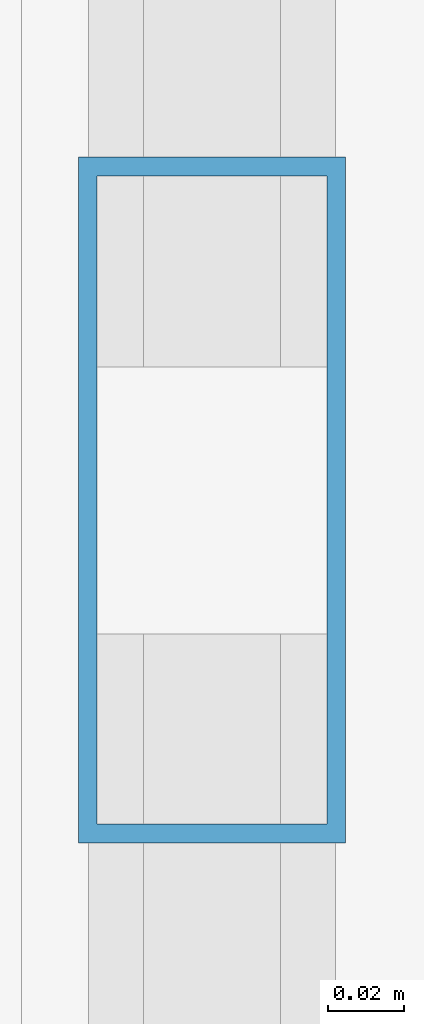
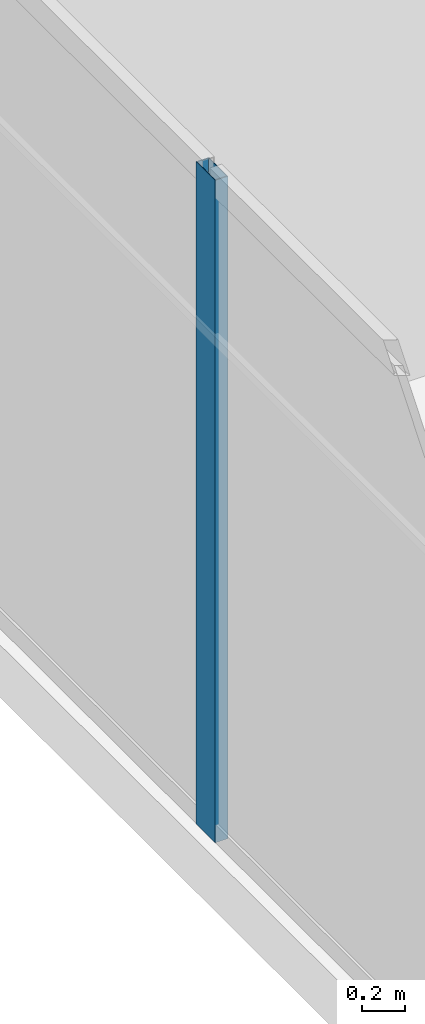
# One storey, part 9 of 35: 1 member, 1 element without a shape of its own.
"""IFC4 building model written with IfcOpenShell, lengths in metres."""

from ifc_helpers import new_model, si_unit, direction, frame, origin, origin_2d, place, context, subcontext, project, spatial, hollow_rectangle, extrude, source, transform, mapped, material, layer, layer_set, material_profile, profile_set, type_object, type_shapes, element, aggregate, save


model = new_model("IFC4")

# Units and contexts
model_context = context("Model", 3, precision=1e-05, world=origin(), true_north=direction((0.0, 1.0)))
body_context = subcontext(model_context, "Body", "Model", "MODEL_VIEW")
ifc_project = project(units=[si_unit("LENGTHUNIT", "METRE"), si_unit("AREAUNIT", "SQUARE_METRE"), si_unit("VOLUMEUNIT", "CUBIC_METRE"), si_unit("PLANEANGLEUNIT", "RADIAN"), si_unit("MASSUNIT", "GRAM", prefix="KILO")], contexts=[model_context])

# Site, building, storey
site_placement = place(None, origin())
site = spatial("IfcSite", under=ifc_project, at=site_placement, CompositionType="ELEMENT")
building_placement = place(site_placement, origin())
building = spatial("IfcBuilding", under=site, at=building_placement, Name="Haelvirn Gate Laboratories", CompositionType="ELEMENT")
storey_placement = place(building_placement, frame((0.0, 0.0, 221.89990234375)))
storey = spatial("IfcBuildingStorey", under=building, at=storey_placement, Name="L53", CompositionType="ELEMENT", Elevation=221.89990234375)

# Curtain wall, member
ifc_material_1 = material(Name="Anodised bronze unitised aluminium & triple low-E glass", Category="aluminium")
ifc_layer = layer(ifc_material_1, 0.176025390625, Name="CW-SYS-4")
ifc_layer_set = layer_set([ifc_layer], Name="Anodised bronze unitised aluminium & triple low-E glass")
curtain_wall_type = type_object("IfcCurtainWallType", Name="CW-SYS-4", PredefinedType="NOTDEFINED", material=ifc_layer_set)
curtain_wall_placement = place(storey_placement, origin())
curtain_wall = element("IfcCurtainWall", 1, at=curtain_wall_placement, inside=storey, type_object=curtain_wall_type, Name="L53 Unitised Curtain Wall CW-L53-P0-E17", PredefinedType="NOTDEFINED")
ifc_material_2 = material(Name="Extruded aluminium 6063-T6 (anodised bronze)", Category="aluminium")
ifc_material_profile = material_profile(ifc_material_2, hollow_rectangle(XDim=0.070068359375, YDim=0.179931640625, WallThickness=0.0048828125, at=origin_2d()), Name="CWM-180x70x5")
ifc_profile_set = profile_set([ifc_material_profile], Name="Extruded aluminium 6063-T6 (anodised bronze)")
member_type = type_object("IfcMemberType", Name="CWM-T180", PredefinedType="MULLION", material=ifc_profile_set)
shared_shape = source(origin(), body_context, "Body", "SweptSolid", [
    extrude(hollow_rectangle(XDim=0.070068359375, YDim=0.179931640625, WallThickness=0.0048828125, at=origin_2d()), origin(), (0.0, 0.0, 1.0), 3.800048828125),
])
type_shapes(member_type, [shared_shape])
member_placement = place(storey_placement, frame((4.10009765625, 24.300048828125, 0.0), z_axis=(0.0, 0.0, 1.0), x_axis=(1.0, 0.0, 0.0)))
member = element("IfcMember", 2, at=member_placement, type_object=member_type, Name="CW4 mullion 2", PredefinedType="MULLION", context=body_context, shape_type="MappedRepresentation", body=[
    mapped(shared_shape, transform((0.0, 0.0, 0.0), scale=1.0)),
])
aggregate(curtain_wall, [member])

save(model, "model.ifc")
